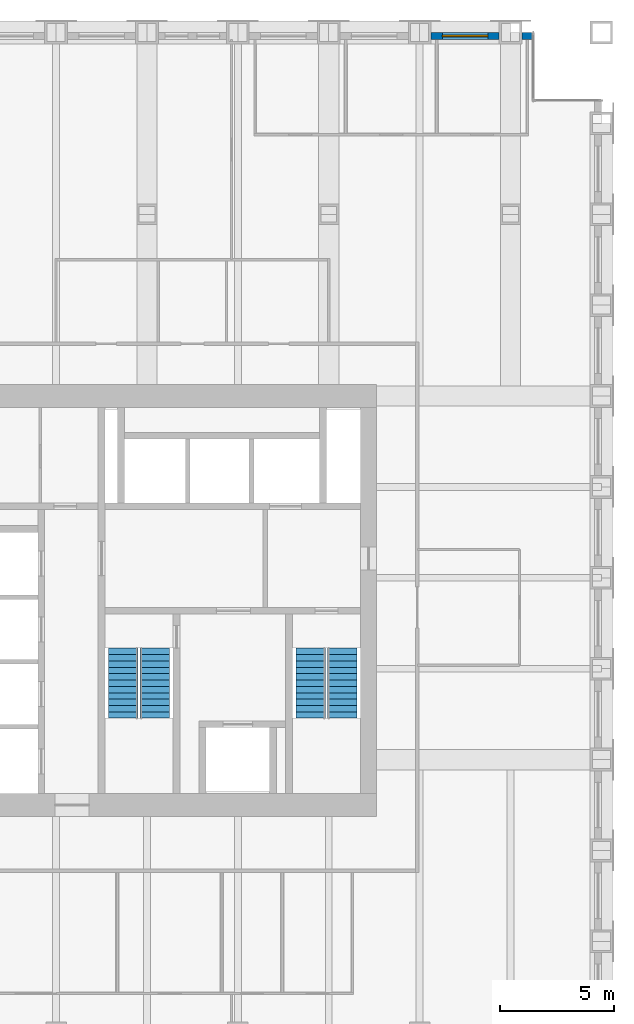
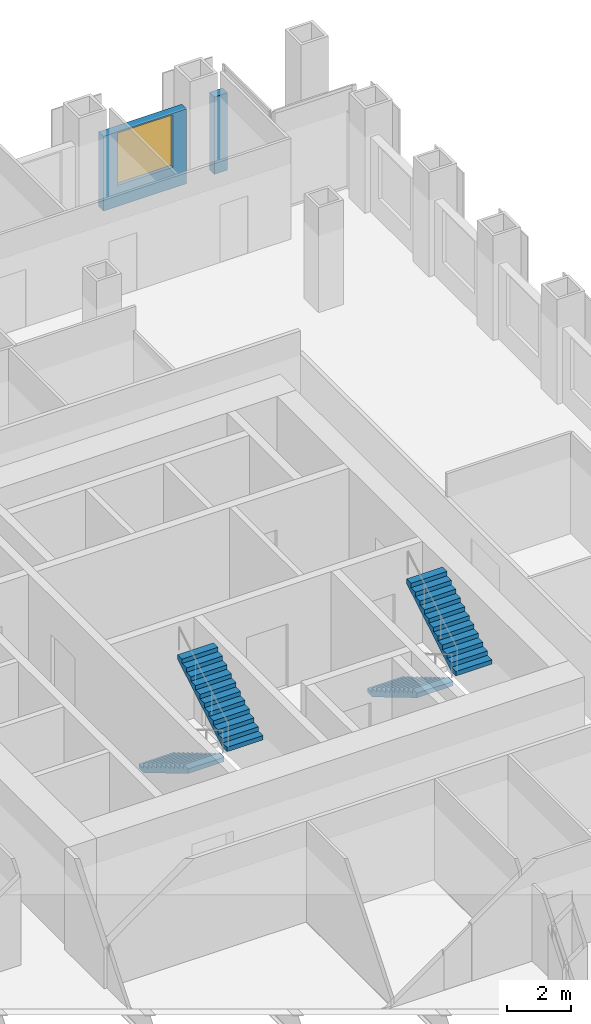
# One storey, part 11 of 12: 4 stair flights, 2 walls, 1 window, 1 opening, 2 elements without a shape of their own.
"""IFC4 building model written with IfcOpenShell, lengths in metres."""

from ifc_helpers import new_model, si_unit, direction, frame, frame_2d, origin, place, context, subcontext, project, spatial, polyline, rectangle, outline, extrude, material, layer, layer_set, type_object, element, fill, aggregate, save


model = new_model("IFC4")

# Units and contexts
model_context = context("Model", 3, precision=1e-05, world=origin(), true_north=direction((0.0, 1.0)))
body_context = subcontext(model_context, "Body", "Model", "MODEL_VIEW")
ifc_project = project(units=[si_unit("LENGTHUNIT", "METRE"), si_unit("AREAUNIT", "SQUARE_METRE"), si_unit("VOLUMEUNIT", "CUBIC_METRE"), si_unit("PLANEANGLEUNIT", "RADIAN"), si_unit("MASSUNIT", "GRAM", prefix="KILO")], contexts=[model_context])

# Site, building, storey
site_placement = place(None, origin())
site = spatial("IfcSite", under=ifc_project, at=site_placement, CompositionType="ELEMENT")
building_placement = place(site_placement, origin())
building = spatial("IfcBuilding", under=site, at=building_placement, Name="Rimbunsela Tower", CompositionType="ELEMENT")
storey_placement = place(building_placement, frame((0.0, 0.0, 163.800048828125)))
storey = spatial("IfcBuildingStorey", under=building, at=storey_placement, Name="L39", CompositionType="ELEMENT", Elevation=163.800048828125)

# Wall, opening, window
ifc_material_1 = material(Name="Precast concrete fc' 35 MPa", Category="concrete")
ifc_layer = layer(ifc_material_1, 0.300048828125)
ifc_layer_set = layer_set([ifc_layer], Name="Precast concrete fc' 35 MPa")
wall_type = type_object("IfcWallType", Name="Precast facade panel 300", PredefinedType="ELEMENTEDWALL", material=ifc_layer_set)
wall_1_placement = place(storey_placement, frame((41.5, 51.85009765625, 0.0), z_axis=(0.0, 0.0, 1.0), x_axis=(-1.0, 0.0, 0.0)))
wall_1 = element("IfcWall", 1, at=wall_1_placement, inside=storey, type_object=wall_type, Name="Facade panel N L39", PredefinedType="ELEMENTEDWALL", context=body_context, shape_type="SweptSolid", body=[
    extrude(rectangle(XDim=3.0, YDim=0.300048828125, at=frame_2d((1.5, 0.0))), origin(), (0.0, 0.0, 1.0), 2.849853515625),
])
opening_placement = place(wall_1_placement, frame((0.5, 0.0, 0.800048828125)))
opening = element("IfcOpeningElement", 2, at=opening_placement, cuts=wall_1, Name="Opening W1", PredefinedType="OPENING", context=body_context, shape_type="SweptSolid", body=[
    extrude(rectangle(XDim=2.0, YDim=2.0, at=frame_2d((1.0, 1.0))), frame((0.0, 0.159912109375, 0.0), z_axis=(0.0, -1.0, 0.0), x_axis=(1.0, 0.0, 0.0)), (0.0, 0.0, 1.0), 0.320068359375),
])
ifc_material_2 = material(Name="Clear glass in aluminium frame", Category="aluminium")
window_type = type_object("IfcWindowType", Name="Window W1 2000x2000", PartitioningType="DOUBLE_PANEL_VERTICAL", PredefinedType="WINDOW", material=ifc_material_2)
window_placement = place(opening_placement, origin())
window = element("IfcWindow", 3, at=window_placement, inside=storey, type_object=window_type, Name="Window L39", OverallHeight=2.0, OverallWidth=2.0, PartitioningType="SINGLE_PANEL", PredefinedType="WINDOW", context=body_context, shape_type="SweptSolid", body=[
    extrude(rectangle(XDim=2.0, YDim=2.0, at=frame_2d((1.0, 1.0))), frame((0.0, 0.030029296875, 0.0), z_axis=(0.0, -1.0, 0.0), x_axis=(1.0, 0.0, 0.0)), (0.0, 0.0, 1.0), 0.06005859375),
])
fill(opening, window)

# Wall
wall_2_placement = place(storey_placement, frame((42.969970703125, 51.85009765625, 0.0), z_axis=(0.0, 0.0, 1.0), x_axis=(-1.0, 0.0, 0.0)))
element("IfcWall", 4, at=wall_2_placement, inside=storey, type_object=wall_type, Name="Facade panel N L39", PredefinedType="ELEMENTEDWALL", context=body_context, shape_type="SweptSolid", body=[
    extrude(rectangle(XDim=0.469970703125, YDim=0.300048828125, at=frame_2d((0.23486328125, 0.0))), origin(), (0.0, 0.0, 1.0), 2.949951171875),
])

# Stair, stair flights
ifc_material_3 = material(Name="Concrete fc' 35 MPa", Category="concrete")
stair_type = type_object("IfcStairType", Name="Exit stair 24 risers", PredefinedType="HALF_TURN_STAIR", material=ifc_material_3)
stair_1_placement = place(storey_placement, origin())
stair_1 = element("IfcStair", 5, at=stair_1_placement, inside=storey, type_object=stair_type, Name="Exit stair A L39", PredefinedType="HALF_TURN_STAIR")
ifc_material_4 = material(Name="Concrete fc' 35 MPa", Category="concrete")
stair_flight_type = type_object("IfcStairFlightType", Name="Stair flight 12 risers 167", PredefinedType="STRAIGHT", material=ifc_material_4)
stair_flight_1_placement = place(storey_placement, frame((24.949951171875, 24.89990234375, 0.0), z_axis=(0.0, 0.0, 1.0), x_axis=(0.0, -1.0, 0.0)))
stair_flight_1 = element("IfcStairFlight", 6, at=stair_flight_1_placement, type_object=stair_flight_type, Name="ST-A flight 1", NumberOfRisers=12, NumberOfTreads=11, PredefinedType="STRAIGHT", RiserHeight=0.166666667, TreadLength=0.28, context=body_context, shape_type="SweptSolid", body=[
    extrude(outline(polyline([(0.0, 0.0), (0.0, 0.166748046875), (0.280029296875, 0.166748046875), (0.280029296875, 0.333251953125), (0.56005859375, 0.333251953125), (0.56005859375, 0.5), (0.840087890625, 0.5), (0.840087890625, 0.666748046875), (1.1201171875, 0.666748046875), (1.1201171875, 0.833251953125), (1.39990234375, 0.833251953125), (1.39990234375, 1.0), (1.679931640625, 1.0), (1.679931640625, 1.166748046875), (1.9599609375, 1.166748046875), (1.9599609375, 1.333251953125), (2.239990234375, 1.333251953125), (2.239990234375, 1.5), (2.52001953125, 1.5), (2.52001953125, 1.666748046875), (2.800048828125, 1.666748046875), (2.800048828125, 1.833251953125), (3.080078125, 1.833251953125), (3.080078125, 2.0), (3.080078125, 1.658935546875), (0.29296875, 0.0), (0.0, 0.0)])), frame((0.0, 0.64990234375, 0.0), z_axis=(0.0, -1.0, 0.0), x_axis=(1.0, 0.0, 0.0)), (0.0, 0.0, 1.0), 1.300048828125),
])
stair_flight_2_placement = place(storey_placement, frame((26.35009765625, 21.820068359375, 2.0), z_axis=(0.0, 0.0, 1.0), x_axis=(0.0, 1.0, 0.0)))
stair_flight_2 = element("IfcStairFlight", 7, at=stair_flight_2_placement, type_object=stair_flight_type, Name="ST-A flight 2", NumberOfRisers=12, NumberOfTreads=11, PredefinedType="STRAIGHT", RiserHeight=0.166666667, TreadLength=0.28, context=body_context, shape_type="SweptSolid", body=[
    extrude(outline(polyline([(0.0, 0.0), (0.0, 0.166748046875), (0.280029296875, 0.166748046875), (0.280029296875, 0.333251953125), (0.56005859375, 0.333251953125), (0.56005859375, 0.5), (0.840087890625, 0.5), (0.840087890625, 0.666748046875), (1.1201171875, 0.666748046875), (1.1201171875, 0.833251953125), (1.39990234375, 0.833251953125), (1.39990234375, 1.0), (1.679931640625, 1.0), (1.679931640625, 1.166748046875), (1.9599609375, 1.166748046875), (1.9599609375, 1.333251953125), (2.239990234375, 1.333251953125), (2.239990234375, 1.5), (2.52001953125, 1.5), (2.52001953125, 1.666748046875), (2.800048828125, 1.666748046875), (2.800048828125, 1.833251953125), (3.080078125, 1.833251953125), (3.080078125, 2.0), (3.080078125, 1.658935546875), (0.29296875, 0.0), (0.0, 0.0)])), frame((0.0, 0.64990234375, 0.0), z_axis=(0.0, -1.0, 0.0), x_axis=(1.0, 0.0, 0.0)), (0.0, 0.0, 1.0), 1.300048828125),
])
aggregate(stair_1, [stair_flight_1, stair_flight_2])

stair_2_placement = place(storey_placement, origin())
stair_2 = element("IfcStair", 8, at=stair_2_placement, inside=storey, type_object=stair_type, Name="Exit stair B L39", PredefinedType="HALF_TURN_STAIR")
stair_flight_3_placement = place(storey_placement, frame((33.199951171875, 24.89990234375, 0.0), z_axis=(0.0, 0.0, 1.0), x_axis=(0.0, -1.0, 0.0)))
stair_flight_3 = element("IfcStairFlight", 9, at=stair_flight_3_placement, type_object=stair_flight_type, Name="ST-B flight 1", NumberOfRisers=12, NumberOfTreads=11, PredefinedType="STRAIGHT", RiserHeight=0.166666667, TreadLength=0.28, context=body_context, shape_type="SweptSolid", body=[
    extrude(outline(polyline([(0.0, 0.0), (0.0, 0.166748046875), (0.280029296875, 0.166748046875), (0.280029296875, 0.333251953125), (0.56005859375, 0.333251953125), (0.56005859375, 0.5), (0.840087890625, 0.5), (0.840087890625, 0.666748046875), (1.1201171875, 0.666748046875), (1.1201171875, 0.833251953125), (1.39990234375, 0.833251953125), (1.39990234375, 1.0), (1.679931640625, 1.0), (1.679931640625, 1.166748046875), (1.9599609375, 1.166748046875), (1.9599609375, 1.333251953125), (2.239990234375, 1.333251953125), (2.239990234375, 1.5), (2.52001953125, 1.5), (2.52001953125, 1.666748046875), (2.800048828125, 1.666748046875), (2.800048828125, 1.833251953125), (3.080078125, 1.833251953125), (3.080078125, 2.0), (3.080078125, 1.658935546875), (0.29296875, 0.0), (0.0, 0.0)])), frame((0.0, 0.64990234375, 0.0), z_axis=(0.0, -1.0, 0.0), x_axis=(1.0, 0.0, 0.0)), (0.0, 0.0, 1.0), 1.300048828125),
])
stair_flight_4_placement = place(storey_placement, frame((34.60009765625, 21.820068359375, 2.0), z_axis=(0.0, 0.0, 1.0), x_axis=(0.0, 1.0, 0.0)))
stair_flight_4 = element("IfcStairFlight", 10, at=stair_flight_4_placement, type_object=stair_flight_type, Name="ST-B flight 2", NumberOfRisers=12, NumberOfTreads=11, PredefinedType="STRAIGHT", RiserHeight=0.166666667, TreadLength=0.28, context=body_context, shape_type="SweptSolid", body=[
    extrude(outline(polyline([(0.0, 0.0), (0.0, 0.166748046875), (0.280029296875, 0.166748046875), (0.280029296875, 0.333251953125), (0.56005859375, 0.333251953125), (0.56005859375, 0.5), (0.840087890625, 0.5), (0.840087890625, 0.666748046875), (1.1201171875, 0.666748046875), (1.1201171875, 0.833251953125), (1.39990234375, 0.833251953125), (1.39990234375, 1.0), (1.679931640625, 1.0), (1.679931640625, 1.166748046875), (1.9599609375, 1.166748046875), (1.9599609375, 1.333251953125), (2.239990234375, 1.333251953125), (2.239990234375, 1.5), (2.52001953125, 1.5), (2.52001953125, 1.666748046875), (2.800048828125, 1.666748046875), (2.800048828125, 1.833251953125), (3.080078125, 1.833251953125), (3.080078125, 2.0), (3.080078125, 1.658935546875), (0.29296875, 0.0), (0.0, 0.0)])), frame((0.0, 0.64990234375, 0.0), z_axis=(0.0, -1.0, 0.0), x_axis=(1.0, 0.0, 0.0)), (0.0, 0.0, 1.0), 1.300048828125),
])
aggregate(stair_2, [stair_flight_3, stair_flight_4])

save(model, "model.ifc")
